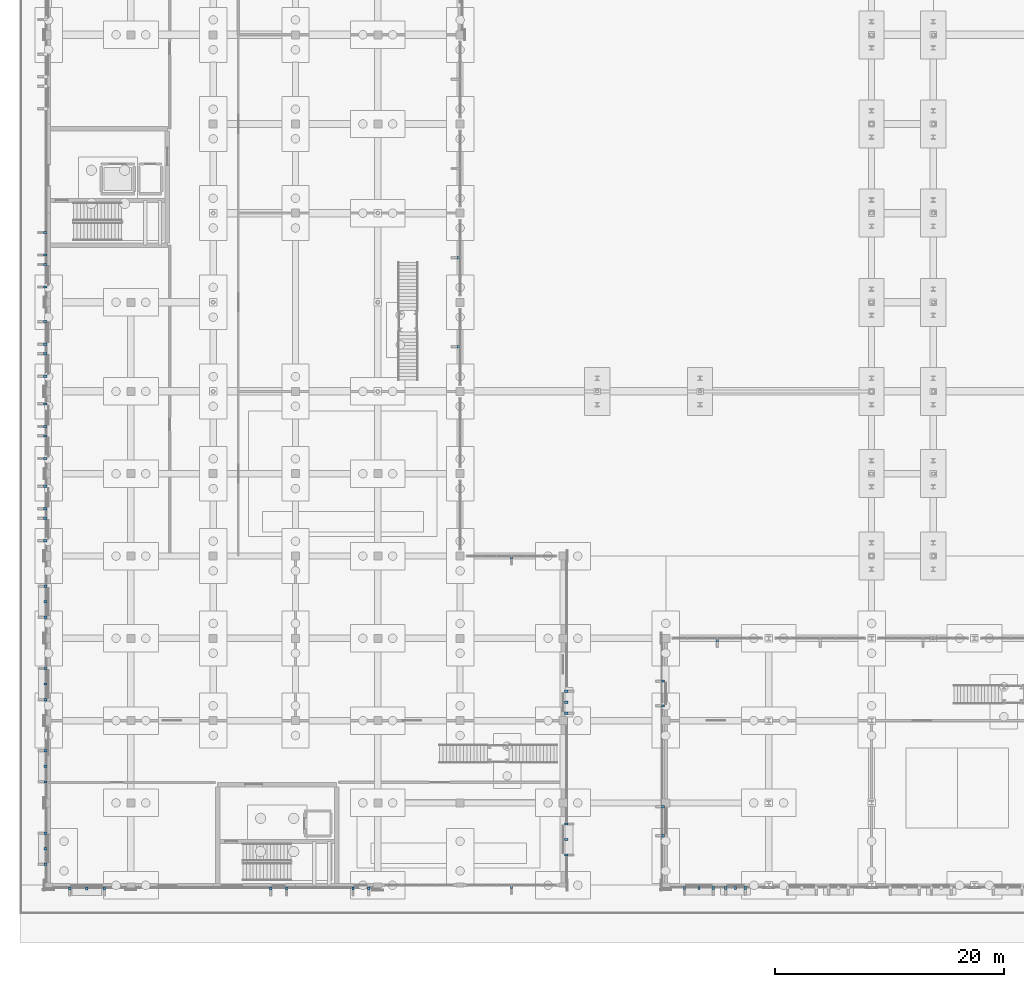
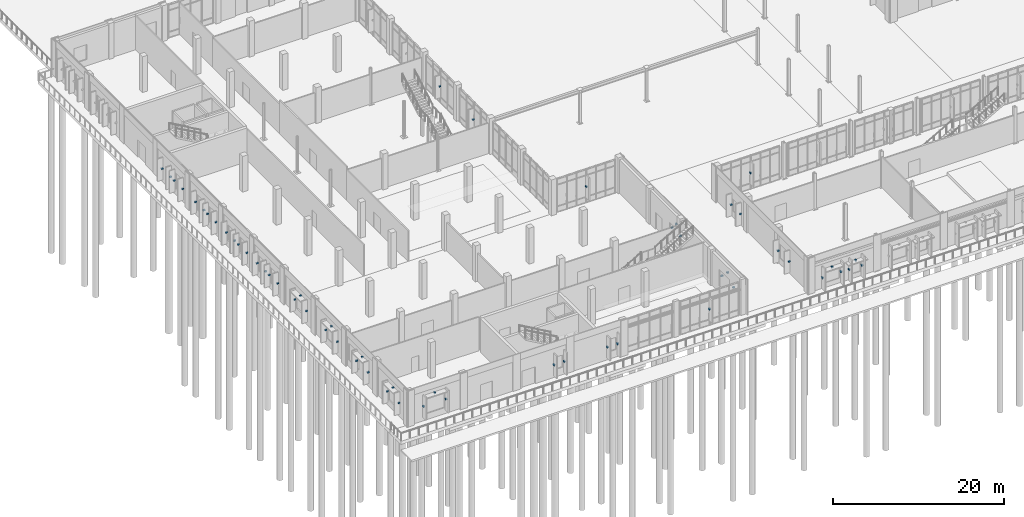
# One storey, part 73 of 94: 56 discrete accessories.
"""IFC4 building model written with IfcOpenShell, lengths in metres."""

from ifc_helpers import new_model, si_unit, direction, frame, origin, origin_2d, place, context, subcontext, project, spatial, rectangle, extrude, material, type_object, element, save


model = new_model("IFC4")

# Units and contexts
model_context = context("Model", 3, precision=1e-05, world=origin(), true_north=direction((0.0, 1.0)))
body_context = subcontext(model_context, "Body", "Model", "MODEL_VIEW")
ifc_project = project(units=[si_unit("LENGTHUNIT", "METRE"), si_unit("AREAUNIT", "SQUARE_METRE"), si_unit("VOLUMEUNIT", "CUBIC_METRE"), si_unit("PLANEANGLEUNIT", "RADIAN"), si_unit("MASSUNIT", "GRAM", prefix="KILO")], contexts=[model_context])

# Site, building, storey
site_placement = place(None, origin())
site = spatial("IfcSite", under=ifc_project, at=site_placement, CompositionType="ELEMENT")
building_placement = place(site_placement, origin())
building = spatial("IfcBuilding", under=site, at=building_placement, Name="Vervanel Yard Central Library", CompositionType="ELEMENT")
storey_placement = place(building_placement, origin())
storey = spatial("IfcBuildingStorey", under=building, at=storey_placement, Name="L00", CompositionType="ELEMENT", Elevation=0.0)

# Discrete accessories
ifc_material = material(Name="Steel ASTM A572 Grade 50", Category="steel")
discrete_accessory_type = type_object("IfcDiscreteAccessoryType", Name="Stainless Solar Fin Fixing Bracket", PredefinedType="BRACKET", material=ifc_material)
for number, where, z_axis, x_axis, name in (
    (1, (-0.2900390625, 30.139892578125, 1.875), (0.0, 0.0, 1.0), (0.0, 1.0, 0.0), "L00 Solar Fin Bracket 225"),
    (2, (-0.2900390625, 32.110107421875, 1.875), (0.0, 0.0, 1.0), (0.0, 1.0, 0.0), "L00 Solar Fin Bracket 226"),
    (3, (-0.2900390625, 32.93994140625, 1.875), (0.0, 0.0, 1.0), (0.0, 1.0, 0.0), "L00 Solar Fin Bracket 227"),
    (4, (-0.2900390625, 34.909912109375, 1.875), (0.0, 0.0, 1.0), (0.0, 1.0, 0.0), "L00 Solar Fin Bracket 228"),
    (5, (-0.2900390625, 37.340087890625, 1.875), (0.0, 0.0, 1.0), (0.0, 1.0, 0.0), "L00 Solar Fin Bracket 229"),
    (6, (-0.2900390625, 39.31005859375, 1.875), (0.0, 0.0, 1.0), (0.0, 1.0, 0.0), "L00 Solar Fin Bracket 230"),
    (7, (-0.2900390625, 40.139892578125, 1.875), (0.0, 0.0, 1.0), (0.0, 1.0, 0.0), "L00 Solar Fin Bracket 231"),
    (8, (-0.2900390625, 42.110107421875, 1.875), (0.0, 0.0, 1.0), (0.0, 1.0, 0.0), "L00 Solar Fin Bracket 232"),
    (9, (-0.2900390625, 44.5400390625, 1.875), (0.0, 0.0, 1.0), (0.0, 1.0, 0.0), "L00 Solar Fin Bracket 233"),
    (10, (-0.2900390625, 46.510009765625, 1.875), (0.0, 0.0, 1.0), (0.0, 1.0, 0.0), "L00 Solar Fin Bracket 234"),
    (11, (-0.2900390625, 47.340087890625, 1.875), (0.0, 0.0, 1.0), (0.0, 1.0, 0.0), "L00 Solar Fin Bracket 235"),
    (12, (-0.2900390625, 49.31005859375, 1.875), (0.0, 0.0, 1.0), (0.0, 1.0, 0.0), "L00 Solar Fin Bracket 236"),
    (13, (-0.2900390625, 52.340087890625, 1.875), (0.0, 0.0, 1.0), (0.0, 1.0, 0.0), "L00 Solar Fin Bracket 237"),
    (14, (-0.2900390625, 54.31005859375, 1.875), (0.0, 0.0, 1.0), (0.0, 1.0, 0.0), "L00 Solar Fin Bracket 238"),
    (15, (-0.2900390625, 55.139892578125, 1.875), (0.0, 0.0, 1.0), (0.0, 1.0, 0.0), "L00 Solar Fin Bracket 239"),
    (16, (-0.2900390625, 57.110107421875, 1.875), (0.0, 0.0, 1.0), (0.0, 1.0, 0.0), "L00 Solar Fin Bracket 240"),
    (17, (35.8701171875, 47.10009765625, 2.2900390625), (0.0, 0.0, 1.0), (0.0, 1.0, 0.0), "L00 Solar Fin Bracket 249"),
    (18, (35.8701171875, 54.89990234375, 2.2900390625), (0.0, 0.0, 1.0), (0.0, 1.0, 0.0), "L00 Solar Fin Bracket 250"),
    (19, (55.639892578125, -0.25, 1.52490234375), (0.0, 0.0, 1.0), (1.0, 0.0, 0.0), "L00 Solar Fin Bracket 553"),
    (20, (58.159912109375, -0.25, 1.52490234375), (0.0, 0.0, 1.0), (1.0, 0.0, 0.0), "L00 Solar Fin Bracket 554"),
    (21, (56.89990234375, -0.25, 2.60009765625), (0.0, 0.0, 1.0), (1.0, 0.0, 0.0), "L00 Sunhood Bracket 102"),
    (22, (59.239990234375, -0.25, 1.4501953125), (0.0, 0.0, 1.0), (1.0, 0.0, 0.0), "L00 Solar Fin Bracket 555"),
    (23, (60.9599609375, -0.25, 1.4501953125), (0.0, 0.0, 1.0), (1.0, 0.0, 0.0), "L00 Solar Fin Bracket 556"),
    (24, (60.10009765625, -0.25, 2.4501953125), (0.0, 0.0, 1.0), (1.0, 0.0, 0.0), "L00 Sunhood Bracket 103"),
    (25, (58.5, 21.469970703125, 2.2900390625), (0.0, 0.0, 1.0), (1.0, 0.0, 0.0), "L00 Solar Fin Bracket 571"),
    (26, (53.75, 4.340087890625, 1.72509765625), (0.0, 0.0, 1.0), (0.0, 1.0, 0.0), "L00 Solar Fin Bracket 577"),
    (27, (53.75, 6.860107421875, 1.72509765625), (0.0, 0.0, 1.0), (0.0, 1.0, 0.0), "L00 Solar Fin Bracket 578"),
    (28, (53.75, 15.68994140625, 1.625), (0.0, 0.0, 1.0), (0.0, 1.0, 0.0), "L00 Solar Fin Bracket 579"),
    (29, (53.75, 17.860107421875, 1.625), (0.0, 0.0, 1.0), (0.0, 1.0, 0.0), "L00 Solar Fin Bracket 580"),
    (30, (1.840087890625, -0.2900390625, 2.0498046875), (0.0, 0.0, 1.0), (1.0, 0.0, 0.0), "L00 Solar Fin Bracket 614"),
    (31, (4.860107421875, -0.2900390625, 2.0498046875), (0.0, 0.0, 1.0), (1.0, 0.0, 0.0), "L00 Solar Fin Bracket 615"),
    (32, (3.35009765625, -0.2900390625, 3.4501953125), (0.0, 0.0, 1.0), (1.0, 0.0, 0.0), "L00 Sunhood Bracket 121"),
    (33, (19.43994140625, -0.2900390625, 1.8251953125), (0.0, 0.0, 1.0), (1.0, 0.0, 0.0), "L00 Solar Fin Bracket 616"),
    (34, (20.81005859375, -0.2900390625, 1.8251953125), (0.0, 0.0, 1.0), (1.0, 0.0, 0.0), "L00 Solar Fin Bracket 617"),
    (35, (26.639892578125, -0.2900390625, 1.8251953125), (0.0, 0.0, 1.0), (1.0, 0.0, 0.0), "L00 Solar Fin Bracket 618"),
    (36, (28.010009765625, -0.2900390625, 1.8251953125), (0.0, 0.0, 1.0), (1.0, 0.0, 0.0), "L00 Solar Fin Bracket 619"),
    (37, (40.5, -0.1298828125, 2.2900390625), (0.0, 0.0, 1.0), (1.0, 0.0, 0.0), "L00 Solar Fin Bracket 620"),
    (38, (-0.27001953125, 1.840087890625, 2.0), (0.0, 0.0, 1.0), (0.0, 1.0, 0.0), "L00 Solar Fin Bracket 621"),
    (39, (-0.27001953125, 4.56005859375, 2.0), (0.0, 0.0, 1.0), (0.0, 1.0, 0.0), "L00 Solar Fin Bracket 622"),
    (40, (-0.27001953125, 3.199951171875, 3.2998046875), (0.0, 0.0, 1.0), (0.0, 1.0, 0.0), "L00 Sunhood Bracket 122"),
    (41, (-0.27001953125, 9.0400390625, 2.0), (0.0, 0.0, 1.0), (0.0, 1.0, 0.0), "L00 Solar Fin Bracket 623"),
    (42, (-0.27001953125, 11.760009765625, 2.0), (0.0, 0.0, 1.0), (0.0, 1.0, 0.0), "L00 Solar Fin Bracket 624"),
    (43, (-0.27001953125, 10.39990234375, 3.2998046875), (0.0, 0.0, 1.0), (0.0, 1.0, 0.0), "L00 Sunhood Bracket 123"),
    (44, (-0.27001953125, 16.239990234375, 2.0), (0.0, 0.0, 1.0), (0.0, 1.0, 0.0), "L00 Solar Fin Bracket 625"),
    (45, (-0.27001953125, 18.9599609375, 2.0), (0.0, 0.0, 1.0), (0.0, 1.0, 0.0), "L00 Solar Fin Bracket 626"),
    (46, (-0.27001953125, 17.60009765625, 3.2998046875), (0.0, 0.0, 1.0), (0.0, 1.0, 0.0), "L00 Sunhood Bracket 124"),
    (47, (-0.27001953125, 23.43994140625, 2.0), (0.0, 0.0, 1.0), (0.0, 1.0, 0.0), "L00 Solar Fin Bracket 627"),
    (48, (-0.27001953125, 26.159912109375, 2.0), (0.0, 0.0, 1.0), (0.0, 1.0, 0.0), "L00 Solar Fin Bracket 628"),
    (49, (-0.27001953125, 24.800048828125, 3.2998046875), (0.0, 0.0, 1.0), (0.0, 1.0, 0.0), "L00 Sunhood Bracket 125"),
    (50, (45.2900390625, 2.639892578125, 2.0), (0.0, 0.0, 1.0), (0.0, 1.0, 0.0), "L00 Solar Fin Bracket 629"),
    (51, (45.2900390625, 5.360107421875, 2.0), (0.0, 0.0, 1.0), (0.0, 1.0, 0.0), "L00 Solar Fin Bracket 630"),
    (52, (45.2900390625, 4.0, 3.2998046875), (0.0, 0.0, 1.0), (0.0, 1.0, 0.0), "L00 Sunhood Bracket 126"),
    (53, (45.2900390625, 15.0400390625, 1.8251953125), (0.0, 0.0, 1.0), (0.0, 1.0, 0.0), "L00 Solar Fin Bracket 631"),
    (54, (45.2900390625, 16.9599609375, 1.8251953125), (0.0, 0.0, 1.0), (0.0, 1.0, 0.0), "L00 Solar Fin Bracket 632"),
    (55, (45.2900390625, 16.0, 2.9501953125), (0.0, 0.0, 1.0), (0.0, 1.0, 0.0), "L00 Sunhood Bracket 127"),
    (56, (40.5, 28.669921875, 2.2900390625), (0.0, 0.0, 1.0), (1.0, 0.0, 0.0), "L00 Solar Fin Bracket 633"),
):
    element("IfcDiscreteAccessory", number, at=place(storey_placement, frame(where, z_axis=z_axis, x_axis=x_axis)), inside=storey, type_object=discrete_accessory_type, Name=name, PredefinedType="BRACKET", context=body_context, shape_type="SweptSolid", body=[
        extrude(rectangle(XDim=0.199951171875, YDim=0.280029296875, at=origin_2d()), origin(), (0.0, 0.0, 1.0), 0.199951171875),
    ])

save(model, "model.ifc")
